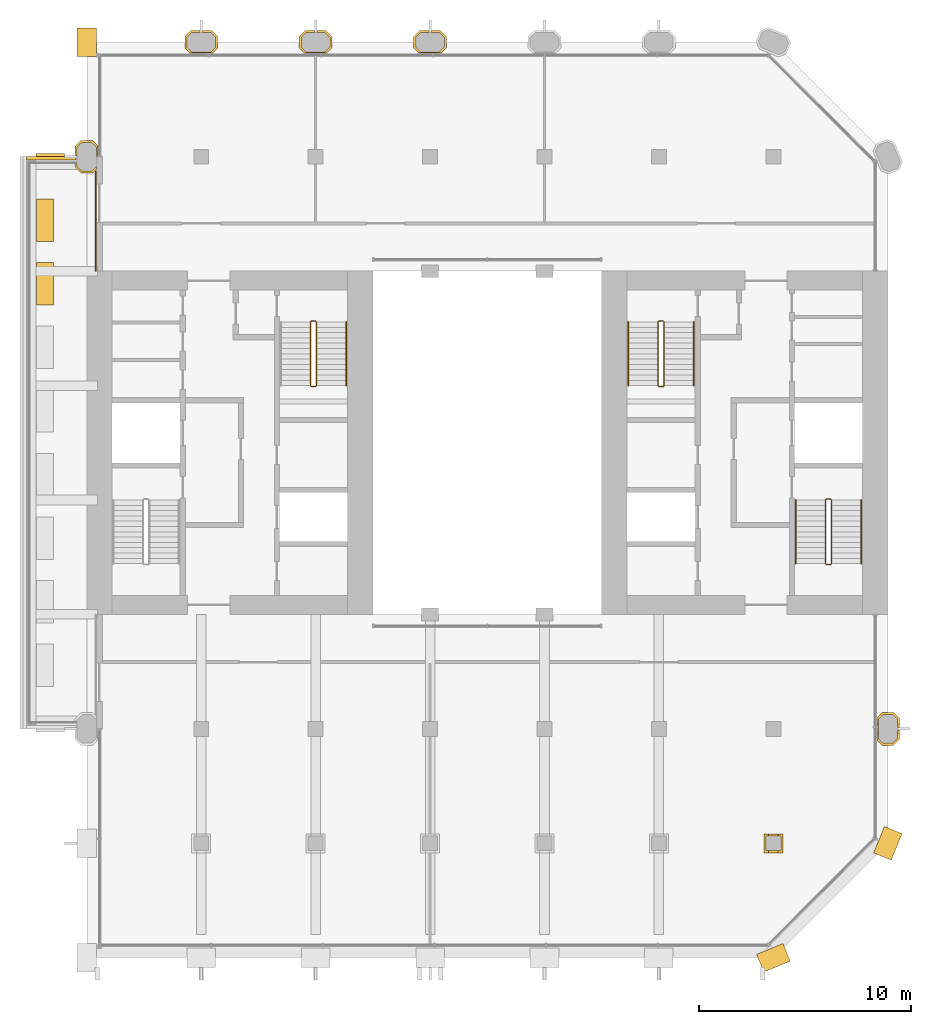
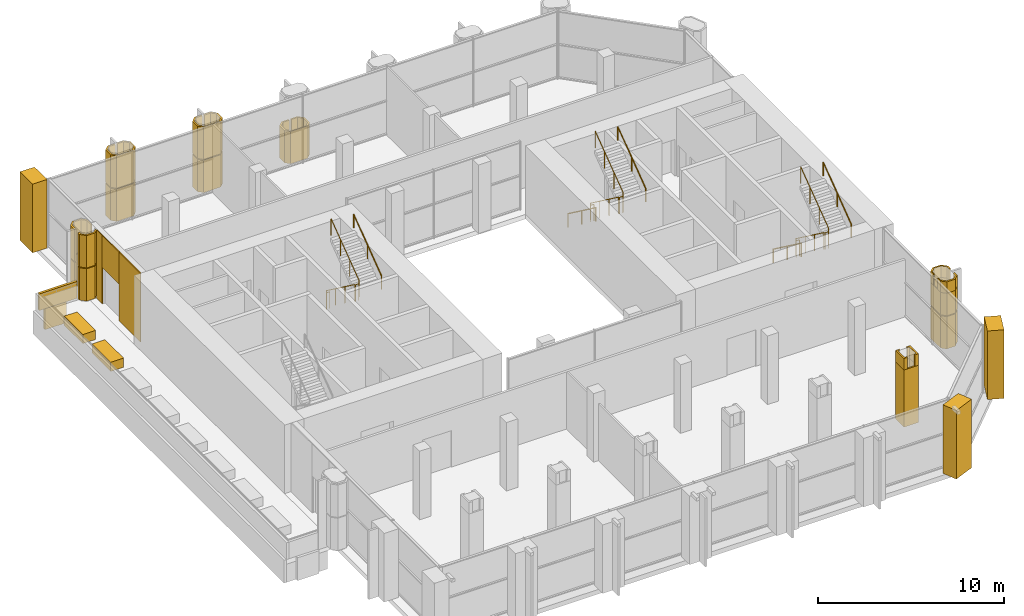
# One storey, part 13 of 14: 26 coverings, 8 railings.
"""IFC4 building model written with IfcOpenShell, lengths in metres."""

import ifcopenshell
import ifcopenshell.guid

model = None  # the IFC model being written
_history = None  # IfcOwnerHistory: only IFC2X3 demands one
_inside = {}  # id of a spatial element -> (the spatial element, [elements in it])
_under = {}  # id of a project, library or spatial element -> (it, [spatial elements below it])
_declared = {}  # id of a project -> (the project, [libraries it declares])
_typed = {}  # id of a type object -> (the type object, [elements of that type])
_made_of = {}  # id of a material, layer set ... -> (it, [elements and type objects made of it])


def new_model(schema):
    """Start an empty IFC model of exactly this schema.

    Asked for "IFC4X3", IfcOpenShell would pick the latest addendum, in which some entities
    have other attributes; the version numbers below select the first issue.
    IFC2X3 requires an IfcOwnerHistory on every rooted entity: one is made here for all.
    """
    global model, _history
    if schema == "IFC4X3":
        model = ifcopenshell.file(schema_version=(4, 3, 0, 0))
    else:
        model = ifcopenshell.file(schema=schema)
    _inside.clear()
    _under.clear()
    _declared.clear()
    _typed.clear()
    _made_of.clear()
    _history = None
    if model.schema == "IFC2X3":
        org = make("IfcOrganization", Name="unknown")
        user = make(
            "IfcPersonAndOrganization",
            ThePerson=make("IfcPerson", FamilyName="unknown"),
            TheOrganization=org,
        )
        app = make(
            "IfcApplication",
            ApplicationDeveloper=org,
            Version="unknown",
            ApplicationFullName="unknown",
            ApplicationIdentifier="unknown",
        )
        _history = make(
            "IfcOwnerHistory",
            OwningUser=user,
            OwningApplication=app,
            ChangeAction="ADDED",
            CreationDate=0,
        )
    return model


def make(cls, **values):
    """One entity of the class cls with the attributes given. An attribute that is None is left unset."""
    return model.create_entity(
        cls, **{name: value for name, value in values.items() if value is not None}
    )


def rooted(cls, **values):
    """An entity with a GlobalId (a new one), such as an element, a storey or a relation."""
    return make(cls, GlobalId=ifcopenshell.guid.new(), OwnerHistory=_history, **values)


def si_unit(unit_type, name, prefix=None):
    """IfcSIUnit, for example si_unit("LENGTHUNIT", "METRE", prefix="MILLI")."""
    return make("IfcSIUnit", UnitType=unit_type, Prefix=prefix, Name=name)


def assignment(units):
    """IfcUnitAssignment: the units of a project."""
    return None if units is None else make("IfcUnitAssignment", Units=units)


def point(xyz):
    """IfcCartesianPoint."""
    return None if xyz is None else make("IfcCartesianPoint", Coordinates=xyz)


def direction(xyz):
    """IfcDirection."""
    return None if xyz is None else make("IfcDirection", DirectionRatios=xyz)


def frame(location, z_axis=None, x_axis=None):
    """IfcAxis2Placement3D, a coordinate frame: its origin and axes. An axis left out is left unset."""
    return make(
        "IfcAxis2Placement3D",
        Location=point(location),
        Axis=direction(z_axis),
        RefDirection=direction(x_axis),
    )


def frame_2d(location, x_axis=None):
    """IfcAxis2Placement2D, a coordinate frame in the plane: its origin and x axis."""
    return make(
        "IfcAxis2Placement2D", Location=point(location), RefDirection=direction(x_axis)
    )


def origin():
    """The frame at (0, 0, 0) with its axes left unset."""
    return frame((0.0, 0.0, 0.0))


def origin_2d():
    """The frame at (0, 0) in the plane with its x axis left unset."""
    return frame_2d((0.0, 0.0))


def place(relative_to, where):
    """IfcLocalPlacement: puts the frame where relative to a parent placement (None: the world)."""
    return make(
        "IfcLocalPlacement", PlacementRelTo=relative_to, RelativePlacement=where
    )


def context(
    kind, dimensions, precision=None, world=None, true_north=None, identifier=None
):
    """IfcGeometricRepresentationContext, for example the 3D "Model" context."""
    return make(
        "IfcGeometricRepresentationContext",
        ContextIdentifier=identifier,
        ContextType=kind,
        CoordinateSpaceDimension=dimensions,
        Precision=precision,
        WorldCoordinateSystem=world,
        TrueNorth=true_north,
    )


def subcontext(parent, identifier, kind, view, scale=None):
    """IfcGeometricRepresentationSubContext, for example "Body" below "Model"."""
    return make(
        "IfcGeometricRepresentationSubContext",
        ContextIdentifier=identifier,
        ContextType=kind,
        ParentContext=parent,
        TargetScale=scale,
        TargetView=view,
    )


def project(units=None, contexts=None):
    """IfcProject with its units and contexts."""
    return rooted(
        "IfcProject",
        Name="project",
        RepresentationContexts=contexts,
        UnitsInContext=assignment(units),
    )


def spatial(cls, under=None, at=None, **own):
    """A site, building, storey or space (cls), placed at a placement, below another one or the project."""
    s = rooted(cls, ObjectPlacement=at, **own)
    if under is not None:
        _under.setdefault(under.id(), (under, []))[1].append(s)
    return s


def polyline(points):
    """IfcPolyline through the points."""
    return make("IfcPolyline", Points=[point(p) for p in points])


def profile(cls, at=None, kind="AREA", **sizes):
    """A parametric profile (cls). Its sizes go by their IFC names, for example OverallWidth=200.0."""
    return make(cls, ProfileType=kind, Position=at, **sizes)


def rectangle(**sizes):
    """IfcRectangleProfileDef."""
    return profile("IfcRectangleProfileDef", **sizes)


def circle(**sizes):
    """IfcCircleProfileDef."""
    return profile("IfcCircleProfileDef", **sizes)


def outline(outer, holes=None, kind="AREA"):
    """IfcArbitraryClosedProfileDef: a profile drawn as a closed curve; with holes, ...WithVoids."""
    if holes is None:
        return make("IfcArbitraryClosedProfileDef", ProfileType=kind, OuterCurve=outer)
    return make(
        "IfcArbitraryProfileDefWithVoids",
        ProfileType=kind,
        OuterCurve=outer,
        InnerCurves=holes,
    )


def extrude(swept, where, along, depth):
    """IfcExtrudedAreaSolid: the profile swept, set in the frame where, extruded along a direction by depth."""
    return make(
        "IfcExtrudedAreaSolid",
        SweptArea=swept,
        Position=where,
        ExtrudedDirection=direction(along),
        Depth=depth,
    )


def shape(context_of_items, identifier, shape_type, items):
    """IfcShapeRepresentation: the items that make up one representation, for example the "Body"."""
    return make(
        "IfcShapeRepresentation",
        ContextOfItems=context_of_items,
        RepresentationIdentifier=identifier,
        RepresentationType=shape_type,
        Items=items,
    )


def material(Name=None, Category=None):
    """IfcMaterial."""
    return make("IfcMaterial", Name=Name, Category=Category)


def layer(
    of_material, thickness, ventilated=None, Name=None, Category=None, Priority=None
):
    """IfcMaterialLayer: one layer of a wall or slab, of a material (None: an air gap)."""
    return make(
        "IfcMaterialLayer",
        Material=of_material,
        LayerThickness=thickness,
        IsVentilated=ventilated,
        Name=Name,
        Category=Category,
        Priority=Priority,
    )


def layer_set(layers, Name=None):
    """IfcMaterialLayerSet."""
    return make("IfcMaterialLayerSet", MaterialLayers=layers, LayerSetName=Name)


def made_of(thing, what):
    """Note that an element or type object is made of a material, layer set ...; save() writes the relation."""
    if what is not None:
        _made_of.setdefault(what.id(), (what, []))[1].append(thing)
    return thing


def type_object(cls, material=None, **own):
    """A type object (cls), such as IfcWallType, which elements share."""
    return made_of(rooted(cls, **own), material)


def element(
    cls,
    number,
    at=None,
    inside=None,
    cuts=None,
    type_object=None,
    material=None,
    context=None,
    identifier="Body",
    shape_type=None,
    held_by="IfcProductDefinitionShape",
    body=None,
    shapes=None,
    **own,
):
    """One element of the class cls, such as IfcWall. Its Tag is "e" and its number.

    at: its placement. inside: the storey or other place that contains it. cuts: it is an
    opening in that element (IfcRelVoidsElement). A single representation is given by context,
    identifier, shape_type and body (its items); several are given by shapes. held_by: the class
    of the entity that holds the representations. save() writes the other relations.
    """
    e = rooted(cls, Tag="e%d" % number, ObjectPlacement=at, **own)
    if body is not None:
        shapes = [shape(context, identifier, shape_type, body)]
    if shapes is not None:
        e.Representation = make(held_by, Representations=shapes)
    if inside is not None:
        _inside.setdefault(inside.id(), (inside, []))[1].append(e)
    if cuts is not None:
        rooted(
            "IfcRelVoidsElement", RelatingBuildingElement=cuts, RelatedOpeningElement=e
        )
    if type_object is not None:
        _typed.setdefault(type_object.id(), (type_object, []))[1].append(e)
    return made_of(e, material)


def aggregate(whole, parts):
    """IfcRelAggregates: a whole, such as a stair, and the parts it consists of."""
    return rooted("IfcRelAggregates", RelatingObject=whole, RelatedObjects=parts)


def save(model, path):
    """Write the relations noted so far, then the file.

    IfcRelAggregates (storeys below a building ...), IfcRelContainedInSpatialStructure (elements
    in a storey), IfcRelDefinesByType, IfcRelAssociatesMaterial and IfcRelDeclares: one each for
    every whole, place, type object, material and project.
    """
    for whole, parts in _under.values():
        aggregate(whole, parts)
    for where, things in _inside.values():
        rooted(
            "IfcRelContainedInSpatialStructure",
            RelatedElements=things,
            RelatingStructure=where,
        )
    for kind, things in _typed.values():
        rooted("IfcRelDefinesByType", RelatedObjects=things, RelatingType=kind)
    for what, things in _made_of.values():
        rooted("IfcRelAssociatesMaterial", RelatedObjects=things, RelatingMaterial=what)
    for by, libraries in _declared.values():
        rooted("IfcRelDeclares", RelatingContext=by, RelatedDefinitions=libraries)
    model.write(path)


model = new_model("IFC4")

# Units and contexts
model_context = context("Model", 3, precision=1e-05, world=origin(), true_north=direction((0.0, 1.0)))
body_context = subcontext(model_context, "Body", "Model", "MODEL_VIEW")
ifc_project = project(units=[si_unit("LENGTHUNIT", "METRE"), si_unit("AREAUNIT", "SQUARE_METRE"), si_unit("VOLUMEUNIT", "CUBIC_METRE"), si_unit("PLANEANGLEUNIT", "RADIAN"), si_unit("MASSUNIT", "GRAM", prefix="KILO")], contexts=[model_context])

# Site, building, storey
site_placement = place(None, origin())
site = spatial("IfcSite", under=ifc_project, at=site_placement, CompositionType="ELEMENT")
building_placement = place(site_placement, origin())
building = spatial("IfcBuilding", under=site, at=building_placement, Name="Tabaq Tower and Sports Hall", CompositionType="ELEMENT")
storey_placement = place(building_placement, frame((0.0, 0.0, 260.5)))
storey = spatial("IfcBuildingStorey", under=building, at=storey_placement, Name="L63", CompositionType="ELEMENT", Elevation=260.5)

# Coverings
ifc_material_1 = material(Name="Precast concrete C60/75", Category="concrete")
ifc_layer_1 = layer(ifc_material_1, 0.10009765625)
ifc_layer_set_1 = layer_set([ifc_layer_1], Name="Column cladding 100")
covering_type_1 = type_object("IfcCoveringType", Name="Column cladding 100", PredefinedType="CLADDING", material=ifc_layer_set_1)
covering_1_placement = place(storey_placement, frame((0.0, 0.0, 0.10009765625)))
element("IfcCovering", 1, at=covering_1_placement, inside=storey, type_object=covering_type_1, Name="Column cladding L63 PC-2H-S2", PredefinedType="CLADDING", context=body_context, shape_type="SweptSolid", body=[
    extrude(outline(polyline([(4.850341796875, 38.291259765625), (5.1337890625, 38.57470703125), (5.666259765625, 38.57470703125), (5.90966796875, 38.331298828125), (5.90966796875, 37.80029296875), (5.850341796875, 37.80029296875), (5.850341796875, 38.250244140625), (5.625244140625, 38.475341796875), (5.1748046875, 38.475341796875), (4.94970703125, 38.250244140625), (4.94970703125, 37.8603515625), (4.850341796875, 37.8603515625), (4.850341796875, 38.291259765625)])), origin(), (0.0, 0.0, 1.0), 2.119873046875),
])
covering_2_placement = place(storey_placement, frame((0.0, 0.0, 0.10009765625)))
element("IfcCovering", 2, at=covering_2_placement, inside=storey, type_object=covering_type_1, Name="Column cladding L63 PC-2H-S2 2", PredefinedType="CLADDING", context=body_context, shape_type="SweptSolid", body=[
    extrude(outline(polyline([(5.1337890625, 37.025390625), (4.850341796875, 37.30859375), (4.850341796875, 37.48974609375), (4.900390625, 37.48974609375), (4.900390625, 37.509765625), (4.94970703125, 37.509765625), (4.94970703125, 37.349853515625), (5.1748046875, 37.124755859375), (5.625244140625, 37.124755859375), (5.849609375, 37.349365234375), (5.849609375, 37.208740234375), (5.666259765625, 37.025390625), (5.1337890625, 37.025390625)])), origin(), (0.0, 0.0, 1.0), 2.119873046875),
])
covering_3_placement = place(storey_placement, frame((0.0, 0.0, 2.280029296875)))
element("IfcCovering", 3, at=covering_3_placement, inside=storey, type_object=covering_type_1, Name="Column cladding L63 PC-2H-S2 2", PredefinedType="CLADDING", context=body_context, shape_type="SweptSolid", body=[
    extrude(outline(polyline([(4.850341796875, 38.291259765625), (5.1337890625, 38.57470703125), (5.666259765625, 38.57470703125), (5.90966796875, 38.331298828125), (5.90966796875, 37.80029296875), (5.850341796875, 37.80029296875), (5.850341796875, 38.250244140625), (5.625244140625, 38.475341796875), (5.1748046875, 38.475341796875), (4.94970703125, 38.250244140625), (4.94970703125, 37.8603515625), (4.850341796875, 37.8603515625), (4.850341796875, 38.291259765625)])), origin(), (0.0, 0.0, 1.0), 2.119873046875),
])
covering_4_placement = place(storey_placement, frame((0.0, 0.0, 2.280029296875)))
element("IfcCovering", 4, at=covering_4_placement, inside=storey, type_object=covering_type_1, Name="Column cladding L63 PC-2H-S2 2 2", PredefinedType="CLADDING", context=body_context, shape_type="SweptSolid", body=[
    extrude(outline(polyline([(5.1337890625, 37.025390625), (4.850341796875, 37.30859375), (4.850341796875, 37.48974609375), (4.900390625, 37.48974609375), (4.900390625, 37.509765625), (4.94970703125, 37.509765625), (4.94970703125, 37.349853515625), (5.1748046875, 37.124755859375), (5.625244140625, 37.124755859375), (5.849609375, 37.349365234375), (5.849609375, 37.208740234375), (5.666259765625, 37.025390625), (5.1337890625, 37.025390625)])), origin(), (0.0, 0.0, 1.0), 2.119873046875),
])
for number, where, name in (
    (5, (0.0, 0.0, 0.10009765625), "Column cladding L63 PC-3I-S2"),
    (6, (0.0, 0.0, 2.280029296875), "Column cladding L63 PC-3I-S2 2"),
):
    element("IfcCovering", number, at=place(storey_placement, frame(where)), inside=storey, type_object=covering_type_1, Name=name, PredefinedType="CLADDING", context=body_context, shape_type="SweptSolid", body=[
        extrude(outline(polyline([(10.025390625, 43.46630859375), (10.30859375, 43.749755859375), (10.73974609375, 43.749755859375), (10.73974609375, 43.650390625), (10.349853515625, 43.650390625), (10.124755859375, 43.425048828125), (10.124755859375, 42.974853515625), (10.349853515625, 42.749755859375), (11.250244140625, 42.749755859375), (11.475341796875, 42.974853515625), (11.475341796875, 43.425048828125), (11.250244140625, 43.650390625), (10.8603515625, 43.650390625), (10.8603515625, 43.749755859375), (11.291259765625, 43.749755859375), (11.57470703125, 43.46630859375), (11.57470703125, 42.93359375), (11.331298828125, 42.690185546875), (10.268798828125, 42.690185546875), (10.025390625, 42.93359375), (10.025390625, 43.46630859375)])), origin(), (0.0, 0.0, 1.0), 2.119873046875),
    ])
for number, where, name in (
    (7, (0.0, 0.0, 0.10009765625), "Column cladding L63 PC-4I-S2"),
    (8, (0.0, 0.0, 2.280029296875), "Column cladding L63 PC-4I-S2 2"),
):
    element("IfcCovering", number, at=place(storey_placement, frame(where)), inside=storey, type_object=covering_type_1, Name=name, PredefinedType="CLADDING", context=body_context, shape_type="SweptSolid", body=[
        extrude(outline(polyline([(15.42529296875, 43.46630859375), (15.708740234375, 43.749755859375), (16.1396484375, 43.749755859375), (16.1396484375, 43.650390625), (15.749755859375, 43.650390625), (15.524658203125, 43.425048828125), (15.524658203125, 42.974853515625), (15.749755859375, 42.749755859375), (16.650146484375, 42.749755859375), (16.875244140625, 42.974853515625), (16.875244140625, 43.425048828125), (16.650146484375, 43.650390625), (16.26025390625, 43.650390625), (16.26025390625, 43.749755859375), (16.69140625, 43.749755859375), (16.974609375, 43.46630859375), (16.974609375, 42.93359375), (16.731201171875, 42.690185546875), (15.668701171875, 42.690185546875), (15.42529296875, 42.93359375), (15.42529296875, 43.46630859375)])), origin(), (0.0, 0.0, 1.0), 2.119873046875),
    ])
covering_5_placement = place(storey_placement, frame((0.0, 0.0, 0.10009765625)))
element("IfcCovering", 9, at=covering_5_placement, inside=storey, type_object=covering_type_1, Name="Column cladding L63 PC-5I-S2", PredefinedType="CLADDING", context=body_context, shape_type="SweptSolid", body=[
    extrude(outline(polyline([(20.8251953125, 43.46630859375), (21.108642578125, 43.749755859375), (21.539794921875, 43.749755859375), (21.539794921875, 43.650390625), (21.14990234375, 43.650390625), (20.9248046875, 43.425048828125), (20.9248046875, 42.974853515625), (21.14990234375, 42.749755859375), (22.050048828125, 42.749755859375), (22.275390625, 42.974853515625), (22.275390625, 43.425048828125), (22.050048828125, 43.650390625), (21.660400390625, 43.650390625), (21.660400390625, 43.749755859375), (22.09130859375, 43.749755859375), (22.374755859375, 43.46630859375), (22.374755859375, 42.93359375), (22.13134765625, 42.690185546875), (21.068603515625, 42.690185546875), (20.8251953125, 42.93359375), (20.8251953125, 43.46630859375)])), origin(), (0.0, 0.0, 1.0), 2.119873046875),
])
covering_6_placement = place(storey_placement, origin())
element("IfcCovering", 10, at=covering_6_placement, inside=storey, type_object=covering_type_1, Name="Column cladding L63 CC-8B-S2", PredefinedType="CLADDING", context=body_context, shape_type="SweptSolid", body=[
    extrude(outline(polyline([(37.350341796875, 5.849609375), (38.249755859375, 5.849609375), (38.249755859375, 4.9501953125), (37.350341796875, 4.9501953125), (37.350341796875, 5.849609375)]), holes=[polyline([(38.150390625, 5.0498046875), (38.150390625, 5.750244140625), (37.44970703125, 5.750244140625), (37.44970703125, 5.0498046875), (38.150390625, 5.0498046875)])]), origin(), (0.0, 0.0, 1.0), 3.75),
])
covering_7_placement = place(storey_placement, frame((0.0, 0.0, 3.75)))
element("IfcCovering", 11, at=covering_7_placement, inside=storey, type_object=covering_type_1, Name="Column cladding L63 CC-8B-S2 head", PredefinedType="CLADDING", context=body_context, shape_type="SweptSolid", body=[
    extrude(outline(polyline([(37.574462890625, 5.04931640625), (37.574462890625, 4.95068359375), (37.3505859375, 4.95068359375), (37.3505859375, 5.849365234375), (37.574462890625, 5.849365234375), (37.574462890625, 5.75048828125), (37.449462890625, 5.75048828125), (37.449462890625, 5.04931640625), (37.574462890625, 5.04931640625)])), origin(), (0.0, 0.0, 1.0), 0.75),
])
covering_8_placement = place(storey_placement, frame((0.0, 0.0, 3.75)))
element("IfcCovering", 12, at=covering_8_placement, inside=storey, type_object=covering_type_1, Name="Column cladding L63 CC-8B-S2 head 2", PredefinedType="CLADDING", context=body_context, shape_type="SweptSolid", body=[
    extrude(outline(polyline([(38.025634765625, 5.04931640625), (38.150634765625, 5.04931640625), (38.150634765625, 5.75048828125), (38.025634765625, 5.75048828125), (38.025634765625, 5.849365234375), (38.24951171875, 5.849365234375), (38.24951171875, 4.95068359375), (38.025634765625, 4.95068359375), (38.025634765625, 5.04931640625)])), origin(), (0.0, 0.0, 1.0), 0.75),
])
covering_9_placement = place(storey_placement, frame((0.0, 0.0, 0.10009765625)))
element("IfcCovering", 13, at=covering_9_placement, inside=storey, type_object=covering_type_1, Name="Column cladding L63 PC-9C-S2", PredefinedType="CLADDING", context=body_context, shape_type="SweptSolid", body=[
    extrude(outline(polyline([(42.93359375, 10.025390625), (42.690185546875, 10.268798828125), (42.690185546875, 11.331298828125), (42.93359375, 11.57470703125), (43.46630859375, 11.57470703125), (43.749755859375, 11.291259765625), (43.749755859375, 10.8603515625), (43.650390625, 10.8603515625), (43.650390625, 11.250244140625), (43.425048828125, 11.475341796875), (42.974853515625, 11.475341796875), (42.749755859375, 11.250244140625), (42.749755859375, 10.349853515625), (42.974853515625, 10.124755859375), (43.425048828125, 10.124755859375), (43.650390625, 10.349853515625), (43.650390625, 10.73974609375), (43.749755859375, 10.73974609375), (43.749755859375, 10.30859375), (43.46630859375, 10.025390625), (42.93359375, 10.025390625)])), origin(), (0.0, 0.0, 1.0), 2.119873046875),
])
covering_10_placement = place(storey_placement, frame((0.0, 0.0, 2.280029296875)))
element("IfcCovering", 14, at=covering_10_placement, inside=storey, type_object=covering_type_1, Name="Column cladding L63 PC-9C-S2 2", PredefinedType="CLADDING", context=body_context, shape_type="SweptSolid", body=[
    extrude(outline(polyline([(42.93359375, 10.025390625), (42.690185546875, 10.268798828125), (42.690185546875, 11.331298828125), (42.93359375, 11.57470703125), (43.46630859375, 11.57470703125), (43.749755859375, 11.291259765625), (43.749755859375, 10.8603515625), (43.650390625, 10.8603515625), (43.650390625, 11.250244140625), (43.425048828125, 11.475341796875), (42.974853515625, 11.475341796875), (42.749755859375, 11.250244140625), (42.749755859375, 10.349853515625), (42.974853515625, 10.124755859375), (43.425048828125, 10.124755859375), (43.650390625, 10.349853515625), (43.650390625, 10.73974609375), (43.749755859375, 10.73974609375), (43.749755859375, 10.30859375), (43.46630859375, 10.025390625), (42.93359375, 10.025390625)])), origin(), (0.0, 0.0, 1.0), 1.469970703125),
])
covering_11_placement = place(storey_placement, frame((0.0, 0.0, 3.75)))
element("IfcCovering", 15, at=covering_11_placement, inside=storey, type_object=covering_type_1, Name="Column cladding L63 PC-9C-S2 head", PredefinedType="CLADDING", context=body_context, shape_type="SweptSolid", body=[
    extrude(outline(polyline([(42.690185546875, 10.268798828125), (42.690185546875, 10.57470703125), (42.749755859375, 10.57470703125), (42.749755859375, 10.349853515625), (42.974853515625, 10.124755859375), (43.425048828125, 10.124755859375), (43.650390625, 10.349853515625), (43.650390625, 10.57470703125), (43.749755859375, 10.57470703125), (43.749755859375, 10.30859375), (43.46630859375, 10.025390625), (42.93359375, 10.025390625), (42.690185546875, 10.268798828125)])), origin(), (0.0, 0.0, 1.0), 0.75),
])
covering_12_placement = place(storey_placement, frame((0.0, 0.0, 3.75)))
element("IfcCovering", 16, at=covering_12_placement, inside=storey, type_object=covering_type_1, Name="Column cladding L63 PC-9C-S2 head 2", PredefinedType="CLADDING", context=body_context, shape_type="SweptSolid", body=[
    extrude(outline(polyline([(42.690185546875, 11.331298828125), (42.93359375, 11.57470703125), (43.46630859375, 11.57470703125), (43.749755859375, 11.291259765625), (43.749755859375, 11.025390625), (43.650390625, 11.025390625), (43.650390625, 11.250244140625), (43.425048828125, 11.475341796875), (42.974853515625, 11.475341796875), (42.749755859375, 11.250244140625), (42.749755859375, 11.025390625), (42.690185546875, 11.025390625), (42.690185546875, 11.331298828125)])), origin(), (0.0, 0.0, 1.0), 0.75),
])
ifc_material_2 = material(Name="White precast concrete C60/75", Category="concrete")
covering_type_2 = type_object("IfcCoveringType", Name="Pier cladding hung 1350x900", PredefinedType="CLADDING", material=ifc_material_2)
for number, where, z_axis, x_axis, name in (
    (17, (5.39990234375, 43.875, 0.0), (0.0, 0.0, 1.0), (0.0, -1.0, 0.0), "Hung pier cladding 1/8"),
    (18, (37.17626953125, -0.25830078125, 0.0), (0.0, 0.0, 1.0), (0.923893411637, 0.382649923473, 0.0), "Hung pier cladding 7/0"),
    (19, (42.941650390625, 4.7763671875, 0.0), (0.0, 0.0, 1.0), (0.382649923473, 0.923893411637, 0.0), "Hung pier cladding 8/1"),
):
    element("IfcCovering", number, at=place(storey_placement, frame(where, z_axis=z_axis, x_axis=x_axis)), inside=storey, type_object=covering_type_2, Name=name, PredefinedType="CLADDING", context=body_context, shape_type="SweptSolid", body=[
        extrude(rectangle(XDim=1.35009765625, YDim=0.89990234375, at=frame_2d((0.675048828125, 0.0))), origin(), (0.0, 0.0, 1.0), 4.5),
    ])
ifc_material_3 = material(Name="Planting soil and drainage layer")
covering_type_3 = type_object("IfcCoveringType", Name="Planter 2000x800x600", PredefinedType="USERDEFINED", material=ifc_material_3)
for number, where, z_axis, x_axis, name in (
    (20, (3.429931640625, 34.800048828125, 0.0), (0.0, 0.0, 1.0), (0.0, -1.0, 0.0), "Planter L63"),
    (21, (3.429931640625, 31.800048828125, 0.0), (0.0, 0.0, 1.0), (0.0, -1.0, 0.0), "Planter L63"),
):
    element("IfcCovering", number, at=place(storey_placement, frame(where, z_axis=z_axis, x_axis=x_axis)), inside=storey, type_object=covering_type_3, Name=name, ObjectType="PLANTER", PredefinedType="USERDEFINED", context=body_context, shape_type="SweptSolid", body=[
        extrude(rectangle(XDim=2.0, YDim=0.800048828125, at=origin_2d()), origin(), (0.0, 0.0, 1.0), 0.60009765625),
    ])

# Railings
ifc_material_4 = material(Name="Stainless steel", Category="steel")
railing_type_1 = type_object("IfcRailingType", Name="Stair guard", PredefinedType="GUARDRAIL", material=ifc_material_4)
railing_1_placement = place(storey_placement, frame((16.199951171875, 30.050048828125, 0.0)))
element("IfcRailing", 22, at=railing_1_placement, inside=storey, type_object=railing_type_1, Name="L63 ST2 stair guard 1", PredefinedType="GUARDRAIL", context=body_context, shape_type="SweptSolid", body=[
    extrude(circle(Radius=0.02392578125, at=origin_2d()), frame((0.0, 0.0, 1.076171875), z_axis=(-1.0, 0.0, 0.0), x_axis=(0.0, -1.0, 0.0)), (0.0, 0.0, 1.0), 0.199951171875),
    extrude(circle(Radius=0.02392578125, at=origin_2d()), frame((-0.199951171875, 0.0, 1.076171875), z_axis=(-0.253185614162, -0.253185614162, 0.933699142959), x_axis=(0.707106781187, -0.707106781187, 0.0)), (0.0, 0.0, 1.0), 0.19775390625),
    extrude(circle(Radius=0.02392578125, at=origin_2d()), frame((-0.25, -0.050048828125, 1.2607421875), z_axis=(0.0, -0.804440004972, 0.594033903411), x_axis=(1.0, 0.0, 0.0)), (0.0, 0.0, 1.0), 3.729248046875),
    extrude(circle(Radius=0.02392578125, at=origin_2d()), frame((-0.25, -3.050048828125, 3.47607421875), z_axis=(0.707106781187, -0.707106781187, 0.0), x_axis=(0.707106781187, 0.707106781187, 0.0)), (0.0, 0.0, 1.0), 0.07080078125),
    extrude(circle(Radius=0.02392578125, at=origin_2d()), frame((-0.199951171875, -3.10009765625, 3.47607421875), z_axis=(1.0, 0.0, 0.0), x_axis=(0.0, 1.0, 0.0)), (0.0, 0.0, 1.0), 0.199951171875),
    extrude(circle(Radius=0.02392578125, at=origin_2d()), frame((0.0, -3.10009765625, 3.47607421875), z_axis=(0.252893960547, 0.252893960547, 0.933857210411), x_axis=(-0.707106781187, 0.707106781187, 0.0)), (0.0, 0.0, 1.0), 0.197998046875),
    extrude(circle(Radius=0.02392578125, at=origin_2d()), frame((0.050048828125, -3.050048828125, 3.66064453125), z_axis=(0.0, 0.804440004972, 0.594033903411), x_axis=(-1.0, 0.0, 0.0)), (0.0, 0.0, 1.0), 3.729248046875),
    extrude(circle(Radius=0.02099609375, at=origin_2d()), origin(), (0.0, 0.0, 1.0), 1.052001953125),
    extrude(circle(Radius=0.02099609375, at=origin_2d()), frame((-0.199951171875, 0.0, 0.0)), (0.0, 0.0, 1.0), 1.052001953125),
    extrude(circle(Radius=0.02099609375, at=origin_2d()), frame((-0.25, -0.050048828125, 0.1845703125)), (0.0, 0.0, 1.0), 1.052001953125),
    extrude(circle(Radius=0.02099609375, at=origin_2d()), frame((-0.25, -1.050048828125, 0.923095703125)), (0.0, 0.0, 1.0), 1.052001953125),
    extrude(circle(Radius=0.02099609375, at=origin_2d()), frame((-0.25, -2.050048828125, 1.661376953125)), (0.0, 0.0, 1.0), 1.052001953125),
    extrude(circle(Radius=0.02099609375, at=origin_2d()), frame((-0.25, -3.050048828125, 2.39990234375)), (0.0, 0.0, 1.0), 1.052001953125),
    extrude(circle(Radius=0.02099609375, at=origin_2d()), frame((-0.199951171875, -3.10009765625, 2.39990234375)), (0.0, 0.0, 1.0), 1.052001953125),
    extrude(circle(Radius=0.02099609375, at=origin_2d()), frame((0.0, -3.10009765625, 2.39990234375)), (0.0, 0.0, 1.0), 1.052001953125),
    extrude(circle(Radius=0.02099609375, at=origin_2d()), frame((0.050048828125, -3.050048828125, 2.584716796875)), (0.0, 0.0, 1.0), 1.052001953125),
    extrude(circle(Radius=0.02099609375, at=origin_2d()), frame((0.050048828125, -2.050048828125, 3.3232421875)), (0.0, 0.0, 1.0), 1.052001953125),
    extrude(circle(Radius=0.02099609375, at=origin_2d()), frame((0.050048828125, -1.050048828125, 4.0615234375)), (0.0, 0.0, 1.0), 1.052001953125),
    extrude(circle(Radius=0.02099609375, at=origin_2d()), frame((0.050048828125, -0.050048828125, 4.800048828125)), (0.0, 0.0, 1.0), 1.052001953125),
])
railing_2_placement = place(storey_placement, frame((40.5, 21.64990234375, 0.0)))
element("IfcRailing", 23, at=railing_2_placement, inside=storey, type_object=railing_type_1, Name="L63 ST3 stair guard 1", PredefinedType="GUARDRAIL", context=body_context, shape_type="SweptSolid", body=[
    extrude(circle(Radius=0.02392578125, at=origin_2d()), frame((0.0, 0.0, 1.076171875), z_axis=(-1.0, 0.0, 0.0), x_axis=(0.0, -1.0, 0.0)), (0.0, 0.0, 1.0), 0.199951171875),
    extrude(circle(Radius=0.02392578125, at=origin_2d()), frame((-0.199951171875, 0.0, 1.076171875), z_axis=(-0.253264628505, -0.252029191293, 0.933990532438), x_axis=(0.705375805398, -0.708833529934, 0.0)), (0.0, 0.0, 1.0), 0.197509765625),
    extrude(circle(Radius=0.02392578125, at=origin_2d()), frame((-0.25, -0.0498046875, 1.2607421875), z_axis=(0.0, -0.804440004972, 0.594033903411), x_axis=(1.0, 0.0, 0.0)), (0.0, 0.0, 1.0), 3.729248046875),
    extrude(circle(Radius=0.02392578125, at=origin_2d()), frame((-0.25, -3.0498046875, 3.47607421875), z_axis=(0.707106781187, -0.707106781187, 0.0), x_axis=(0.707106781187, 0.707106781187, 0.0)), (0.0, 0.0, 1.0), 0.07080078125),
    extrude(circle(Radius=0.02392578125, at=origin_2d()), frame((-0.199951171875, -3.099853515625, 3.47607421875), z_axis=(1.0, 0.0, 0.0), x_axis=(0.0, 1.0, 0.0)), (0.0, 0.0, 1.0), 0.199951171875),
    extrude(circle(Radius=0.02392578125, at=origin_2d()), frame((0.0, -3.099853515625, 3.47607421875), z_axis=(0.252893960547, 0.252893960547, 0.933857210411), x_axis=(-0.707106781187, 0.707106781187, 0.0)), (0.0, 0.0, 1.0), 0.197998046875),
    extrude(circle(Radius=0.02392578125, at=origin_2d()), frame((0.050048828125, -3.0498046875, 3.66064453125), z_axis=(0.0, 0.804440004972, 0.594033903411), x_axis=(-1.0, 0.0, 0.0)), (0.0, 0.0, 1.0), 3.729248046875),
    extrude(circle(Radius=0.02099609375, at=origin_2d()), origin(), (0.0, 0.0, 1.0), 1.052001953125),
    extrude(circle(Radius=0.02099609375, at=origin_2d()), frame((-0.199951171875, 0.0, 0.0)), (0.0, 0.0, 1.0), 1.052001953125),
    extrude(circle(Radius=0.02099609375, at=origin_2d()), frame((-0.25, -0.0498046875, 0.1845703125)), (0.0, 0.0, 1.0), 1.052001953125),
    extrude(circle(Radius=0.02099609375, at=origin_2d()), frame((-0.25, -1.0498046875, 0.923095703125)), (0.0, 0.0, 1.0), 1.052001953125),
    extrude(circle(Radius=0.02099609375, at=origin_2d()), frame((-0.25, -2.0498046875, 1.661376953125)), (0.0, 0.0, 1.0), 1.052001953125),
    extrude(circle(Radius=0.02099609375, at=origin_2d()), frame((-0.25, -3.0498046875, 2.39990234375)), (0.0, 0.0, 1.0), 1.052001953125),
    extrude(circle(Radius=0.02099609375, at=origin_2d()), frame((-0.199951171875, -3.099853515625, 2.39990234375)), (0.0, 0.0, 1.0), 1.052001953125),
    extrude(circle(Radius=0.02099609375, at=origin_2d()), frame((0.0, -3.099853515625, 2.39990234375)), (0.0, 0.0, 1.0), 1.052001953125),
    extrude(circle(Radius=0.02099609375, at=origin_2d()), frame((0.050048828125, -3.0498046875, 2.584716796875)), (0.0, 0.0, 1.0), 1.052001953125),
    extrude(circle(Radius=0.02099609375, at=origin_2d()), frame((0.050048828125, -2.0498046875, 3.3232421875)), (0.0, 0.0, 1.0), 1.052001953125),
    extrude(circle(Radius=0.02099609375, at=origin_2d()), frame((0.050048828125, -1.0498046875, 4.0615234375)), (0.0, 0.0, 1.0), 1.052001953125),
    extrude(circle(Radius=0.02099609375, at=origin_2d()), frame((0.050048828125, -0.0498046875, 4.800048828125)), (0.0, 0.0, 1.0), 1.052001953125),
])
railing_3_placement = place(storey_placement, frame((32.60009765625, 30.050048828125, 0.0)))
element("IfcRailing", 24, at=railing_3_placement, inside=storey, type_object=railing_type_1, Name="L63 ST4 stair guard 1", PredefinedType="GUARDRAIL", context=body_context, shape_type="SweptSolid", body=[
    extrude(circle(Radius=0.02392578125, at=origin_2d()), frame((0.0, 0.0, 1.076171875), z_axis=(-1.0, 0.0, 0.0), x_axis=(0.0, -1.0, 0.0)), (0.0, 0.0, 1.0), 0.2001953125),
    extrude(circle(Radius=0.02392578125, at=origin_2d()), frame((-0.2001953125, 0.0, 1.076171875), z_axis=(-0.252029191293, -0.253264628505, 0.933990532438), x_axis=(0.708833529934, -0.705375805398, 0.0)), (0.0, 0.0, 1.0), 0.197509765625),
    extrude(circle(Radius=0.02392578125, at=origin_2d()), frame((-0.25, -0.050048828125, 1.2607421875), z_axis=(0.0, -0.804440004972, 0.594033903411), x_axis=(1.0, 0.0, 0.0)), (0.0, 0.0, 1.0), 3.729248046875),
    extrude(circle(Radius=0.02392578125, at=origin_2d()), frame((-0.25, -3.050048828125, 3.47607421875), z_axis=(0.705375805398, -0.708833529934, 0.0), x_axis=(0.708833529934, 0.705375805398, 0.0)), (0.0, 0.0, 1.0), 0.070556640625),
    extrude(circle(Radius=0.02392578125, at=origin_2d()), frame((-0.2001953125, -3.10009765625, 3.47607421875), z_axis=(1.0, 0.0, 0.0), x_axis=(0.0, 1.0, 0.0)), (0.0, 0.0, 1.0), 0.2001953125),
    extrude(circle(Radius=0.02392578125, at=origin_2d()), frame((0.0, -3.10009765625, 3.47607421875), z_axis=(0.251738688881, 0.252972702061, 0.934147977856), x_axis=(-0.708833529934, 0.705375805398, 0.0)), (0.0, 0.0, 1.0), 0.19775390625),
    extrude(circle(Radius=0.02392578125, at=origin_2d()), frame((0.0498046875, -3.050048828125, 3.66064453125), z_axis=(0.0, 0.804440004972, 0.594033903411), x_axis=(-1.0, 0.0, 0.0)), (0.0, 0.0, 1.0), 3.729248046875),
    extrude(circle(Radius=0.02099609375, at=origin_2d()), origin(), (0.0, 0.0, 1.0), 1.052001953125),
    extrude(circle(Radius=0.02099609375, at=origin_2d()), frame((-0.2001953125, 0.0, 0.0)), (0.0, 0.0, 1.0), 1.052001953125),
    extrude(circle(Radius=0.02099609375, at=origin_2d()), frame((-0.25, -0.050048828125, 0.1845703125)), (0.0, 0.0, 1.0), 1.052001953125),
    extrude(circle(Radius=0.02099609375, at=origin_2d()), frame((-0.25, -1.050048828125, 0.923095703125)), (0.0, 0.0, 1.0), 1.052001953125),
    extrude(circle(Radius=0.02099609375, at=origin_2d()), frame((-0.25, -2.050048828125, 1.661376953125)), (0.0, 0.0, 1.0), 1.052001953125),
    extrude(circle(Radius=0.02099609375, at=origin_2d()), frame((-0.25, -3.050048828125, 2.39990234375)), (0.0, 0.0, 1.0), 1.052001953125),
    extrude(circle(Radius=0.02099609375, at=origin_2d()), frame((-0.2001953125, -3.10009765625, 2.39990234375)), (0.0, 0.0, 1.0), 1.052001953125),
    extrude(circle(Radius=0.02099609375, at=origin_2d()), frame((0.0, -3.10009765625, 2.39990234375)), (0.0, 0.0, 1.0), 1.052001953125),
    extrude(circle(Radius=0.02099609375, at=origin_2d()), frame((0.0498046875, -3.050048828125, 2.584716796875)), (0.0, 0.0, 1.0), 1.052001953125),
    extrude(circle(Radius=0.02099609375, at=origin_2d()), frame((0.0498046875, -2.050048828125, 3.3232421875)), (0.0, 0.0, 1.0), 1.052001953125),
    extrude(circle(Radius=0.02099609375, at=origin_2d()), frame((0.0498046875, -1.050048828125, 4.0615234375)), (0.0, 0.0, 1.0), 1.052001953125),
    extrude(circle(Radius=0.02099609375, at=origin_2d()), frame((0.0498046875, -0.050048828125, 4.800048828125)), (0.0, 0.0, 1.0), 1.052001953125),
])
ifc_material_5 = material(Name="Stainless steel", Category="steel")
railing_type_2 = type_object("IfcRailingType", Name="Stair handrail", PredefinedType="HANDRAIL", material=ifc_material_5)
railing_4_placement = place(storey_placement, frame((17.64990234375, 27.0, 2.584716796875)))
element("IfcRailing", 25, at=railing_4_placement, inside=storey, type_object=railing_type_2, Name="L63 ST2 stair handrail 2", PredefinedType="HANDRAIL", context=body_context, shape_type="SweptSolid", body=[
    extrude(circle(Radius=0.02392578125, at=origin_2d()), frame((0.0, 0.0, 0.8759765625), z_axis=(0.0, 0.804440004972, 0.594033903411), x_axis=(-1.0, 0.0, 0.0)), (0.0, 0.0, 1.0), 3.729248046875),
    extrude(circle(Radius=0.02099609375, at=origin_2d()), origin(), (0.0, 0.0, 1.0), 0.851806640625),
    extrude(circle(Radius=0.02099609375, at=origin_2d()), frame((0.0, 1.5, 1.107666015625)), (0.0, 0.0, 1.0), 0.851806640625),
    extrude(circle(Radius=0.02099609375, at=origin_2d()), frame((0.0, 3.0, 2.21533203125)), (0.0, 0.0, 1.0), 0.851806640625),
])
railing_5_placement = place(storey_placement, frame((38.85009765625, 21.60009765625, 0.1845703125)))
element("IfcRailing", 26, at=railing_5_placement, inside=storey, type_object=railing_type_2, Name="L63 ST3 stair handrail 1", PredefinedType="HANDRAIL", context=body_context, shape_type="SweptSolid", body=[
    extrude(circle(Radius=0.02392578125, at=origin_2d()), frame((0.0, 0.0, 0.8759765625), z_axis=(0.0, -0.804440004972, 0.594033903411), x_axis=(1.0, 0.0, 0.0)), (0.0, 0.0, 1.0), 3.729248046875),
    extrude(circle(Radius=0.02099609375, at=origin_2d()), origin(), (0.0, 0.0, 1.0), 0.851806640625),
    extrude(circle(Radius=0.02099609375, at=origin_2d()), frame((0.0, -1.5, 1.107666015625)), (0.0, 0.0, 1.0), 0.851806640625),
    extrude(circle(Radius=0.02099609375, at=origin_2d()), frame((0.0, -3.0, 2.21533203125)), (0.0, 0.0, 1.0), 0.851806640625),
])
railing_6_placement = place(storey_placement, frame((41.949951171875, 18.60009765625, 2.584716796875)))
element("IfcRailing", 27, at=railing_6_placement, inside=storey, type_object=railing_type_2, Name="L63 ST3 stair handrail 2", PredefinedType="HANDRAIL", context=body_context, shape_type="SweptSolid", body=[
    extrude(circle(Radius=0.02392578125, at=origin_2d()), frame((0.0, 0.0, 0.8759765625), z_axis=(0.0, 0.804440004972, 0.594033903411), x_axis=(-1.0, 0.0, 0.0)), (0.0, 0.0, 1.0), 3.729248046875),
    extrude(circle(Radius=0.02099609375, at=origin_2d()), origin(), (0.0, 0.0, 1.0), 0.851806640625),
    extrude(circle(Radius=0.02099609375, at=origin_2d()), frame((0.0, 1.5, 1.107666015625)), (0.0, 0.0, 1.0), 0.851806640625),
    extrude(circle(Radius=0.02099609375, at=origin_2d()), frame((0.0, 3.0, 2.21533203125)), (0.0, 0.0, 1.0), 0.851806640625),
])
railing_7_placement = place(storey_placement, frame((30.949951171875, 30.0, 0.1845703125)))
element("IfcRailing", 28, at=railing_7_placement, inside=storey, type_object=railing_type_2, Name="L63 ST4 stair handrail 1", PredefinedType="HANDRAIL", context=body_context, shape_type="SweptSolid", body=[
    extrude(circle(Radius=0.02392578125, at=origin_2d()), frame((0.0, 0.0, 0.8759765625), z_axis=(0.0, -0.804440004972, 0.594033903411), x_axis=(1.0, 0.0, 0.0)), (0.0, 0.0, 1.0), 3.729248046875),
    extrude(circle(Radius=0.02099609375, at=origin_2d()), origin(), (0.0, 0.0, 1.0), 0.851806640625),
    extrude(circle(Radius=0.02099609375, at=origin_2d()), frame((0.0, -1.5, 1.107666015625)), (0.0, 0.0, 1.0), 0.851806640625),
    extrude(circle(Radius=0.02099609375, at=origin_2d()), frame((0.0, -3.0, 2.21533203125)), (0.0, 0.0, 1.0), 0.851806640625),
])
railing_8_placement = place(storey_placement, frame((34.050048828125, 27.0, 2.584716796875)))
element("IfcRailing", 29, at=railing_8_placement, inside=storey, type_object=railing_type_2, Name="L63 ST4 stair handrail 2", PredefinedType="HANDRAIL", context=body_context, shape_type="SweptSolid", body=[
    extrude(circle(Radius=0.02392578125, at=origin_2d()), frame((0.0, 0.0, 0.8759765625), z_axis=(0.0, 0.804440004972, 0.594033903411), x_axis=(-1.0, 0.0, 0.0)), (0.0, 0.0, 1.0), 3.729248046875),
    extrude(circle(Radius=0.02099609375, at=origin_2d()), origin(), (0.0, 0.0, 1.0), 0.851806640625),
    extrude(circle(Radius=0.02099609375, at=origin_2d()), frame((0.0, 1.5, 1.107666015625)), (0.0, 0.0, 1.0), 0.851806640625),
    extrude(circle(Radius=0.02099609375, at=origin_2d()), frame((0.0, 3.0, 2.21533203125)), (0.0, 0.0, 1.0), 0.851806640625),
])

# Coverings
ifc_material_6 = material(Name="Precast concrete C60/75", Category="concrete")
ifc_layer_2 = layer(ifc_material_6, 0.14990234375)
ifc_layer_set_2 = layer_set([ifc_layer_2], Name="Tray fascia 1200")
covering_type_4 = type_object("IfcCoveringType", Name="Tray fascia 1200", PredefinedType="CLADDING", material=ifc_layer_set_2)
covering_13_placement = place(storey_placement, frame((4.340087890625, 37.875, -1.5), z_axis=(0.0, 0.0, 1.0), x_axis=(-1.0, 0.0, 0.0)))
element("IfcCovering", 30, at=covering_13_placement, inside=storey, type_object=covering_type_4, Name="Tray fascia L63 EBT", PredefinedType="CLADDING", context=body_context, shape_type="SweptSolid", body=[
    extrude(rectangle(XDim=1.340087890625, YDim=0.14990234375, at=frame_2d((0.669921875, 0.0))), origin(), (0.0, 0.0, 1.0), 1.5),
])
ifc_material_7 = material(Name="Precast concrete C60/75", Category="concrete")
ifc_layer_3 = layer(ifc_material_7, 0.14990234375)
ifc_layer_set_3 = layer_set([ifc_layer_3], Name="Tray upstand cladding 1100")
covering_type_5 = type_object("IfcCoveringType", Name="Tray upstand cladding 1100", PredefinedType="CLADDING", material=ifc_layer_set_3)
covering_14_placement = place(storey_placement, frame((4.89990234375, 37.72509765625, 0.0), z_axis=(0.0, 0.0, 1.0), x_axis=(-1.0, 0.0, 0.0)))
element("IfcCovering", 31, at=covering_14_placement, inside=storey, type_object=covering_type_5, Name="Tray upstand cladding L63", PredefinedType="CLADDING", context=body_context, shape_type="SweptSolid", body=[
    extrude(rectangle(XDim=2.349853515625, YDim=0.14990234375, at=frame_2d((1.1748046875, 0.0))), origin(), (0.0, 0.0, 1.0), 1.10009765625),
])
ifc_material_8 = material(Name="Precast concrete C60/75", Category="concrete")
ifc_layer_4 = layer(ifc_material_8, 0.06005859375)
ifc_layer_set_4 = layer_set([ifc_layer_4], Name="White precast cladding panel 60 C60/75")
covering_type_6 = type_object("IfcCoveringType", Name="White precast cladding panel 60 C60/75", PredefinedType="CLADDING", material=ifc_layer_set_4)
covering_15_placement = place(storey_placement, frame((5.820068359375, 37.114990234375, 0.0), z_axis=(0.0, 0.0, 1.0), x_axis=(0.0, -1.0, 0.0)))
element("IfcCovering", 32, at=covering_15_placement, inside=storey, type_object=covering_type_6, Name="White precast cladding panel L63 infill05-0-1", PredefinedType="CLADDING", context=body_context, shape_type="SweptSolid", body=[
    extrude(rectangle(XDim=0.60498046875, YDim=0.06005859375, at=frame_2d((0.302490234375, 0.0))), origin(), (0.0, 0.0, 1.0), 4.5),
])
covering_16_placement = place(storey_placement, frame((5.820068359375, 36.510009765625, 2.409912109375), z_axis=(0.0, 0.0, 1.0), x_axis=(0.0, -1.0, 0.0)))
element("IfcCovering", 33, at=covering_16_placement, inside=storey, type_object=covering_type_6, Name="White precast cladding panel L63 infill05-0-1 2", PredefinedType="CLADDING", context=body_context, shape_type="SweptSolid", body=[
    extrude(rectangle(XDim=1.820068359375, YDim=0.06005859375, at=frame_2d((0.91015625, 0.0))), origin(), (0.0, 0.0, 1.0), 2.090087890625),
])
covering_17_placement = place(storey_placement, frame((5.820068359375, 34.68994140625, 0.0), z_axis=(0.0, 0.0, 1.0), x_axis=(0.0, -1.0, 0.0)))
element("IfcCovering", 34, at=covering_17_placement, inside=storey, type_object=covering_type_6, Name="White precast cladding panel L63 infill05-0-1 3", PredefinedType="CLADDING", context=body_context, shape_type="SweptSolid", body=[
    extrude(rectangle(XDim=2.2900390625, YDim=0.06005859375, at=frame_2d((1.14501953125, 0.0))), origin(), (0.0, 0.0, 1.0), 4.5),
])

save(model, "model.ifc")
